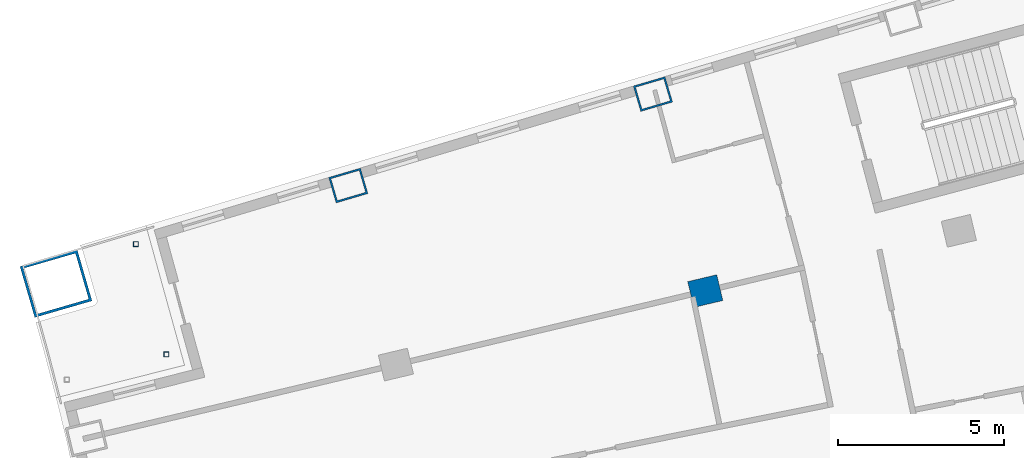
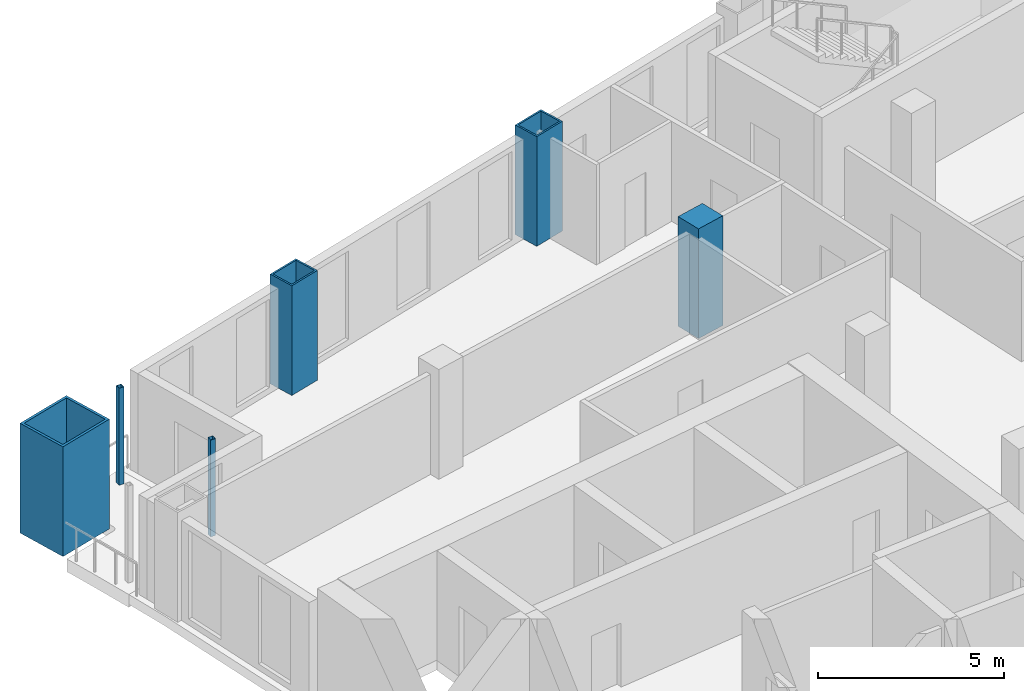
# One storey, part 7 of 20: 6 columns.
"""IFC4 building model written with IfcOpenShell, lengths in metres."""

from ifc_helpers import new_model, si_unit, direction, frame, origin, origin_2d, place, context, subcontext, project, spatial, rectangle, hollow_rectangle, extrude, material, material_profile, profile_set, type_object, element, save


model = new_model("IFC4")

# Units and contexts
model_context = context("Model", 3, precision=1e-05, world=origin(), true_north=direction((0.0, 1.0)))
body_context = subcontext(model_context, "Body", "Model", "MODEL_VIEW")
ifc_project = project(units=[si_unit("LENGTHUNIT", "METRE"), si_unit("AREAUNIT", "SQUARE_METRE"), si_unit("VOLUMEUNIT", "CUBIC_METRE"), si_unit("PLANEANGLEUNIT", "RADIAN"), si_unit("MASSUNIT", "GRAM", prefix="KILO")], contexts=[model_context])

# Site, building, storey
site_placement = place(None, origin())
site = spatial("IfcSite", under=ifc_project, at=site_placement, CompositionType="ELEMENT")
building_placement = place(site_placement, origin())
building = spatial("IfcBuilding", under=site, at=building_placement, Name="Alderwake Tower", CompositionType="ELEMENT")
storey_placement = place(building_placement, frame((0.0, 0.0, 164.0)))
storey = spatial("IfcBuildingStorey", under=building, at=storey_placement, Name="L40", CompositionType="ELEMENT", Elevation=164.0)

# Columns
ifc_material_1 = material(Name="Steel ASTM A572 Grade 50 concrete filled C70/85", Category="concrete")
ifc_material_profile_1 = material_profile(ifc_material_1, hollow_rectangle(XDim=0.800048828125, YDim=1.0, WallThickness=0.054931640625, at=origin_2d()), Name="BOX 1000X800X55")
ifc_profile_set_1 = profile_set([ifc_material_profile_1], Name="Steel ASTM A572 Grade 50 concrete filled C70/85")
column_type_1 = type_object("IfcColumnType", Name="End column Z3", PredefinedType="COLUMN", material=ifc_profile_set_1)
for number, where, z_axis, x_axis, name in (
    (1, (21.885498046875, 90.96240234375, 0.0), (0.0, 0.0, 1.0), (-0.282132160283, 0.95937554906, 0.0), "Column R12-C1"),
    (2, (31.080322265625, 93.72314453125, 0.0), (0.0, 0.0, 1.0), (-0.282582549822, 0.959242984095, 0.0), "Column R12-C2"),
):
    element("IfcColumn", number, at=place(storey_placement, frame(where, z_axis=z_axis, x_axis=x_axis)), inside=storey, type_object=column_type_1, Name=name, PredefinedType="COLUMN", context=body_context, shape_type="SweptSolid", body=[
        extrude(hollow_rectangle(XDim=0.800048828125, YDim=1.0, WallThickness=0.054931640625, at=origin_2d()), origin(), (0.0, 0.0, 1.0), 3.60009765625),
    ])
ifc_material_2 = material(Name="Concrete C70/85", Category="concrete")
ifc_material_profile_2 = material_profile(ifc_material_2, rectangle(XDim=0.800048828125, YDim=0.89990234375, at=origin_2d()), Name="RC 900X800")
ifc_profile_set_2 = profile_set([ifc_material_profile_2], Name="Concrete C70/85")
column_type_2 = type_object("IfcColumnType", Name="Interior column Z3", PredefinedType="COLUMN", material=ifc_profile_set_2)
column_1_placement = place(storey_placement, frame((32.661865234375, 87.775390625, 0.0), z_axis=(0.0, 0.0, 1.0), x_axis=(-0.231221547198, 0.972901123502, 0.0)))
element("IfcColumn", 3, at=column_1_placement, inside=storey, type_object=column_type_2, Name="Column R11-C2", PredefinedType="COLUMN", context=body_context, shape_type="SweptSolid", body=[
    extrude(rectangle(XDim=0.800048828125, YDim=0.89990234375, at=origin_2d()), origin(), (0.0, 0.0, 1.0), 3.60009765625),
])
ifc_material_3 = material(Name="Steel ASTM A500 Grade C", Category="steel")
ifc_material_profile_3 = material_profile(ifc_material_3, hollow_rectangle(XDim=0.15234375, YDim=0.15234375, WallThickness=0.0087890625, at=origin_2d()), Name="HSS6X6X3/8")
ifc_profile_set_3 = profile_set([ifc_material_profile_3], Name="Steel ASTM A500 Grade C")
column_type_3 = type_object("IfcColumnType", Name="Light post HSS6X6X3/8", PredefinedType="COLUMN", material=ifc_profile_set_3)
for number, where, z_axis, x_axis, name in (
    (4, (15.47412109375, 89.194091796875, 0.0), (0.0, 0.0, 1.0), (1.0, 0.0, 0.0), "Terrace post RN2"),
    (5, (16.39501953125, 85.864013671875, 0.0), (0.0, 0.0, 1.0), (1.0, 0.0, 0.0), "Terrace post RN3"),
):
    element("IfcColumn", number, at=place(storey_placement, frame(where, z_axis=z_axis, x_axis=x_axis)), inside=storey, type_object=column_type_3, Name=name, PredefinedType="COLUMN", context=body_context, shape_type="SweptSolid", body=[
        extrude(hollow_rectangle(XDim=0.15234375, YDim=0.15234375, WallThickness=0.0087890625, at=origin_2d()), origin(), (0.0, 0.0, 1.0), 3.179931640625),
    ])
ifc_material_4 = material(Name="Steel ASTM A572 Grade 50 concrete filled C70/85", Category="concrete")
ifc_material_profile_4 = material_profile(ifc_material_4, hollow_rectangle(XDim=1.60009765625, YDim=1.800048828125, WallThickness=0.080078125, at=origin_2d()), Name="BOX 1800X1600X80")
ifc_profile_set_4 = profile_set([ifc_material_profile_4], Name="Steel ASTM A572 Grade 50 concrete filled C70/85")
column_type_4 = type_object("IfcColumnType", Name="Mega column Z3", PredefinedType="COLUMN", material=ifc_profile_set_4)
column_2_placement = place(storey_placement, frame((13.06298828125, 87.99755859375, 0.0), z_axis=(0.0, 0.0, 1.0), x_axis=(-0.278612301868, 0.960403657452, 0.0)))
element("IfcColumn", 6, at=column_2_placement, inside=storey, type_object=column_type_4, Name="Column R12-C0", PredefinedType="COLUMN", context=body_context, shape_type="SweptSolid", body=[
    extrude(hollow_rectangle(XDim=1.60009765625, YDim=1.800048828125, WallThickness=0.080078125, at=origin_2d()), origin(), (0.0, 0.0, 1.0), 3.60009765625),
])

save(model, "model.ifc")
